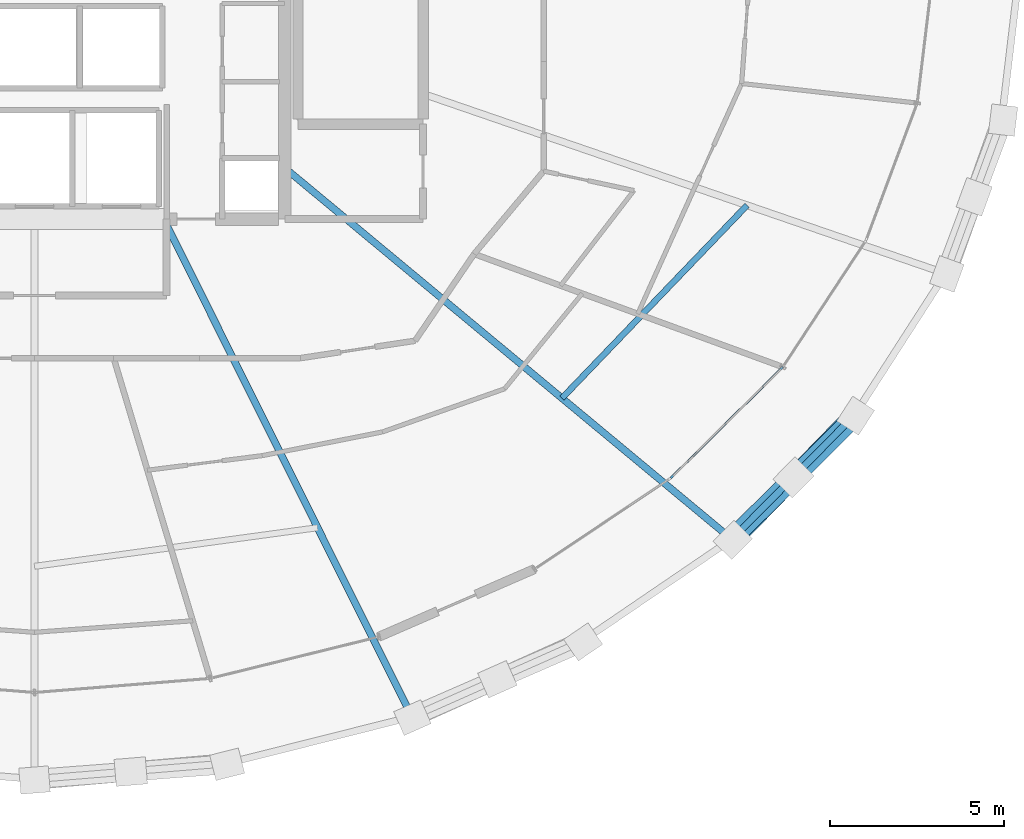
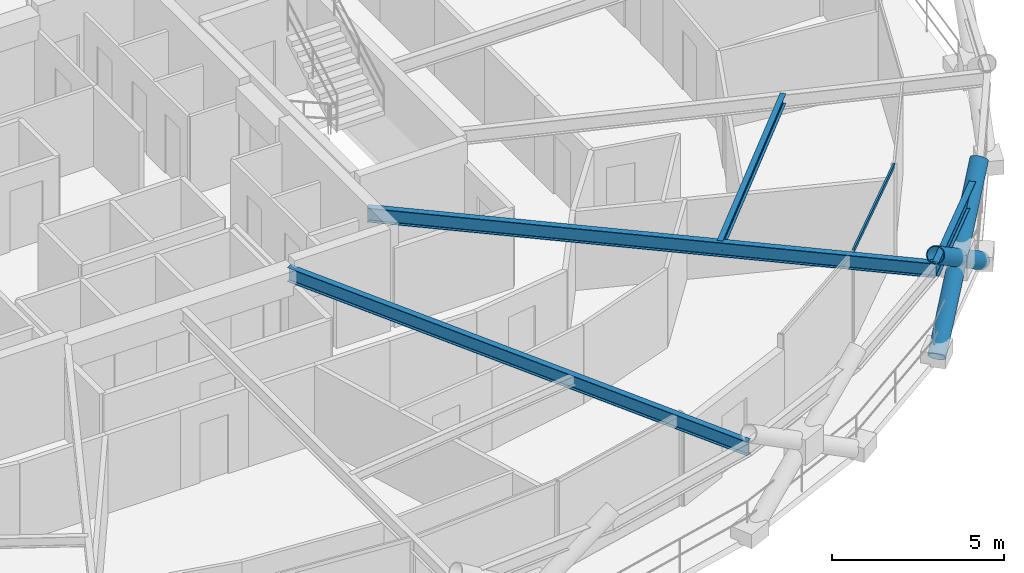
# One storey, part 6 of 21: 4 beams, 4 members, 1 element without a shape of its own.
"""IFC4 building model written with IfcOpenShell, lengths in metres."""

from ifc_helpers import new_model, si_unit, direction, frame, origin, origin_2d, place, context, subcontext, project, spatial, hollow_rectangle, hollow_circle, i_section, extrude, material, layer, layer_set, material_profile, profile_set, type_object, element, aggregate, save


model = new_model("IFC4")

# Units and contexts
model_context = context("Model", 3, precision=1e-05, world=origin(), true_north=direction((0.0, 1.0)))
body_context = subcontext(model_context, "Body", "Model", "MODEL_VIEW")
ifc_project = project(units=[si_unit("LENGTHUNIT", "METRE"), si_unit("AREAUNIT", "SQUARE_METRE"), si_unit("VOLUMEUNIT", "CUBIC_METRE"), si_unit("PLANEANGLEUNIT", "RADIAN"), si_unit("MASSUNIT", "GRAM", prefix="KILO")], contexts=[model_context])

# Site, building, storey
site_placement = place(None, origin())
site = spatial("IfcSite", under=ifc_project, at=site_placement, CompositionType="ELEMENT")
building_placement = place(site_placement, origin())
building = spatial("IfcBuilding", under=site, at=building_placement, Name="Veldorina Hangang Commons", CompositionType="ELEMENT")
storey_placement = place(building_placement, frame((0.0, 0.0, 142.39990234375)))
storey = spatial("IfcBuildingStorey", under=building, at=storey_placement, Name="L36", CompositionType="ELEMENT", Elevation=142.39990234375)

# Beams
ifc_material_1 = material(Name="Steel SM420-TMC", Category="steel")
ifc_material_profile_1 = material_profile(ifc_material_1, i_section(OverallWidth=0.199951171875, OverallDepth=0.5, WebThickness=0.010009765625, FlangeThickness=0.01611328125, FilletRadius=0.01611328125, at=origin_2d()), Name="H-500x200x10x16")
ifc_profile_set_1 = profile_set([ifc_material_profile_1], Name="Steel SM420-TMC")
beam_type_1 = type_object("IfcBeamType", Name="BM-FG500", PredefinedType="BEAM", material=ifc_profile_set_1)
beam_1_placement = place(storey_placement, frame((35.71630859375, 16.550048828125, 3.10009765625), z_axis=(0.44635293446, -0.894857004162, 0.0), x_axis=(0.894857004162, 0.44635293446, 0.0)))
element("IfcBeam", 1, at=beam_1_placement, inside=storey, type_object=beam_type_1, Name="L36 radial floor girder 14", PredefinedType="BEAM", context=body_context, shape_type="SweptSolid", body=[
    extrude(i_section(OverallWidth=0.199951171875, OverallDepth=0.5, WebThickness=0.010009765625, FlangeThickness=0.01611328125, FilletRadius=0.01611328125, at=origin_2d()), origin(), (0.0, 0.0, 1.0), 16.002685546875),
])
beam_2_placement = place(storey_placement, frame((39.199951171875, 18.021240234375, 3.10009765625), z_axis=(0.769328244643, -0.638853701558, 0.0), x_axis=(0.638853701558, 0.769328244643, 0.0)))
element("IfcBeam", 2, at=beam_2_placement, inside=storey, type_object=beam_type_1, Name="L36 radial floor girder 15", PredefinedType="BEAM", context=body_context, shape_type="SweptSolid", body=[
    extrude(i_section(OverallWidth=0.199951171875, OverallDepth=0.5, WebThickness=0.010009765625, FlangeThickness=0.01611328125, FilletRadius=0.01611328125, at=origin_2d()), origin(), (0.0, 0.0, 1.0), 16.72265625),
])
ifc_material_2 = material(Name="Steel SM355-TMC", Category="steel")
ifc_material_profile_2 = material_profile(ifc_material_2, i_section(OverallWidth=0.175048828125, OverallDepth=0.35009765625, WebThickness=0.007080078125, FlangeThickness=0.010986328125, FilletRadius=0.012939453125, at=origin_2d()), Name="H-350x175x7x11")
ifc_profile_set_2 = profile_set([ifc_material_profile_2], Name="Steel SM355-TMC")
beam_type_2 = type_object("IfcBeamType", Name="BM-JST350", PredefinedType="JOIST", material=ifc_profile_set_2)
beam_3_placement = place(storey_placement, frame((47.176513671875, 11.397705078125, 3.175048828125), z_axis=(0.692389114021, 0.721524299512, 0.0), x_axis=(-0.721524299512, 0.692389114021, 0.0)))
element("IfcBeam", 3, at=beam_3_placement, inside=storey, type_object=beam_type_2, Name="L36 secondary floor joist 15", PredefinedType="JOIST", context=body_context, shape_type="SweptSolid", body=[
    extrude(i_section(OverallWidth=0.175048828125, OverallDepth=0.35009765625, WebThickness=0.007080078125, FlangeThickness=0.010986328125, FilletRadius=0.012939453125, at=origin_2d()), origin(), (0.0, 0.0, 1.0), 7.6923828125),
])
ifc_material_profile_3 = material_profile(ifc_material_1, i_section(OverallWidth=0.199951171875, OverallDepth=0.5, WebThickness=0.010009765625, FlangeThickness=0.01611328125, FilletRadius=0.01611328125, at=origin_2d()), Name="H-500x200x10x16")
ifc_profile_set_3 = profile_set([ifc_material_profile_3], Name="Steel SM420-TMC")
beam_type_3 = type_object("IfcBeamType", Name="BM-RB500", PredefinedType="BEAM", material=ifc_profile_set_3)
beam_4_placement = place(storey_placement, frame((52.065185546875, 7.337890625, 3.10009765625), z_axis=(0.702936750629, 0.711252363521, 0.0), x_axis=(-0.711252363521, 0.702936750629, 0.0)))
element("IfcBeam", 4, at=beam_4_placement, inside=storey, type_object=beam_type_3, Name="L36 perimeter hoop ring beam 28", PredefinedType="BEAM", context=body_context, shape_type="SweptSolid", body=[
    extrude(i_section(OverallWidth=0.199951171875, OverallDepth=0.5, WebThickness=0.010009765625, FlangeThickness=0.01611328125, FilletRadius=0.01611328125, at=origin_2d()), origin(), (0.0, 0.0, 1.0), 5.0205078125),
])

# Curtain wall, member
ifc_material_3 = material(Name="Glass Low-E Triple IGU", Category="glass")
ifc_layer = layer(ifc_material_3, 0.179931640625)
ifc_layer_set = layer_set([ifc_layer], Name="Glass Low-E Triple IGU")
curtain_wall_type = type_object("IfcCurtainWallType", Name="CW-SYS-Z2", PredefinedType="NOTDEFINED", material=ifc_layer_set)
curtain_wall_placement = place(storey_placement, origin())
curtain_wall = element("IfcCurtainWall", 5, at=curtain_wall_placement, inside=storey, type_object=curtain_wall_type, Name="L36 unitised curtain wall CW-L36-R2", PredefinedType="NOTDEFINED")
ifc_material_4 = material(Name="Aluminium Anodized AA6063-T6", Category="aluminium")
ifc_material_profile_4 = material_profile(ifc_material_4, hollow_rectangle(XDim=0.06005859375, YDim=0.139892578125, WallThickness=0.00341796875, at=origin_2d()), Name="ALU-RHS-140x60x3.5")
ifc_profile_set_4 = profile_set([ifc_material_profile_4], Name="Aluminium Anodized AA6063-T6")
member_type_1 = type_object("IfcMemberType", Name="CW-TRN-140", PredefinedType="USERDEFINED", material=ifc_profile_set_4)
member_1_placement = place(storey_placement, frame((50.310302734375, 9.10107421875, 3.27001953125), z_axis=(0.710115248003, 0.704085459695, 0.0), x_axis=(-0.704085459695, 0.710115248003, 0.0)))
member_1 = element("IfcMember", 6, at=member_1_placement, type_object=member_type_1, Name="CW-L36-R2 facet 2 transom 1", ObjectType="TRANSOM", PredefinedType="USERDEFINED", context=body_context, shape_type="SweptSolid", body=[
    extrude(hollow_rectangle(XDim=0.06005859375, YDim=0.139892578125, WallThickness=0.00341796875, at=origin_2d()), origin(), (0.0, 0.0, 1.0), 4.53466796875),
])
aggregate(curtain_wall, [member_1])

# Members
ifc_material_profile_5 = material_profile(ifc_material_1, hollow_circle(Radius=0.27490234375, WallThickness=0.028076171875, at=origin_2d()), Name="CHS-550x28")
ifc_profile_set_5 = profile_set([ifc_material_profile_5], Name="Steel SM420-TMC")
member_type_2 = type_object("IfcMemberType", Name="DG-CHS550", PredefinedType="BRACE", material=ifc_profile_set_5)
member_2_placement = place(storey_placement, frame((52.09228515625, 7.319091796875, 0.0), z_axis=(0.566580212197, 0.582007586543, 0.583312979757), x_axis=(-0.716539726337, 0.697546285619, 0.0)))
element("IfcMember", 7, at=member_2_placement, inside=storey, type_object=member_type_2, Name="L36 continuous perimeter diagrid brace 28", PredefinedType="BRACE", context=body_context, shape_type="SweptSolid", body=[
    extrude(hollow_circle(Radius=0.27490234375, WallThickness=0.028076171875, at=origin_2d()), origin(), (0.0, 0.0, 1.0), 6.171875),
])
member_3_placement = place(storey_placement, frame((55.6259765625, 10.893798828125, 0.0), z_axis=(-0.576158115591, -0.574029161284, 0.581835327076), x_axis=(0.705796743514, -0.708414396272, 0.0)))
element("IfcMember", 8, at=member_3_placement, inside=storey, type_object=member_type_2, Name="L36 split perimeter diagrid lower brace 29", PredefinedType="BRACE", context=body_context, shape_type="SweptSolid", body=[
    extrude(hollow_circle(Radius=0.27490234375, WallThickness=0.028076171875, at=origin_2d()), origin(), (0.0, 0.0, 1.0), 3.09619140625),
])
member_4_placement = place(storey_placement, frame((53.842041015625, 9.116455078125, 1.801513671875), z_axis=(-0.576051660025, -0.574235458766, 0.581737159616), x_axis=(0.705989442342, -0.708222357245, 0.0)))
element("IfcMember", 9, at=member_4_placement, inside=storey, type_object=member_type_2, Name="L36 split perimeter diagrid upper brace 29", PredefinedType="BRACE", context=body_context, shape_type="SweptSolid", body=[
    extrude(hollow_circle(Radius=0.27490234375, WallThickness=0.028076171875, at=origin_2d()), origin(), (0.0, 0.0, 1.0), 3.091796875),
])

save(model, "model.ifc")
